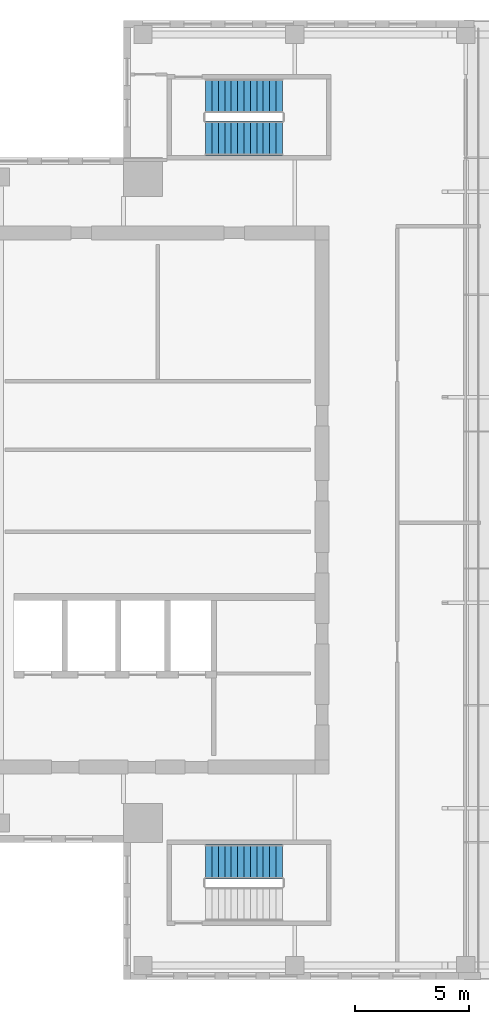
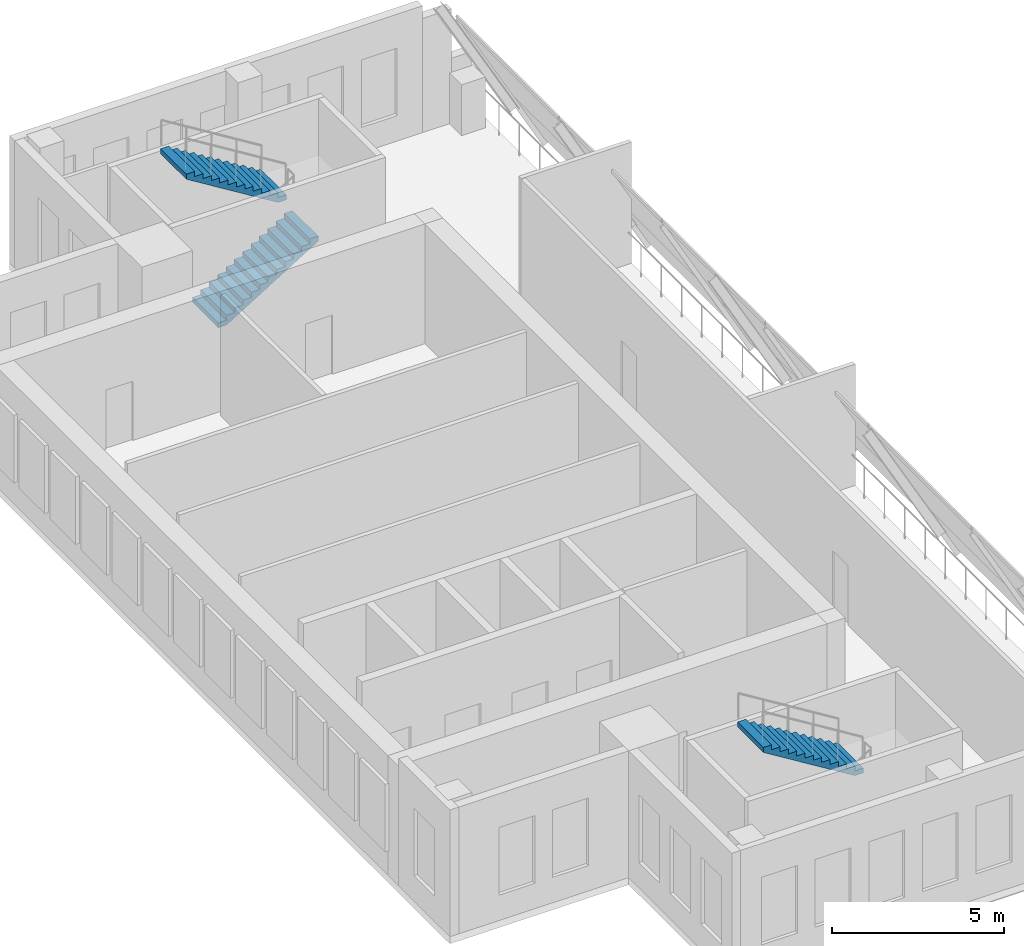
# One storey, part 4 of 5: 3 stair flights, 2 elements without a shape of their own.
"""IFC4 building model written with IfcOpenShell, lengths in metres."""

import ifcopenshell
import ifcopenshell.guid

model = None  # the IFC model being written
_history = None  # IfcOwnerHistory: only IFC2X3 demands one
_inside = {}  # id of a spatial element -> (the spatial element, [elements in it])
_under = {}  # id of a project, library or spatial element -> (it, [spatial elements below it])
_declared = {}  # id of a project -> (the project, [libraries it declares])
_typed = {}  # id of a type object -> (the type object, [elements of that type])
_made_of = {}  # id of a material, layer set ... -> (it, [elements and type objects made of it])


def new_model(schema):
    """Start an empty IFC model of exactly this schema.

    Asked for "IFC4X3", IfcOpenShell would pick the latest addendum, in which some entities
    have other attributes; the version numbers below select the first issue.
    IFC2X3 requires an IfcOwnerHistory on every rooted entity: one is made here for all.
    """
    global model, _history
    if schema == "IFC4X3":
        model = ifcopenshell.file(schema_version=(4, 3, 0, 0))
    else:
        model = ifcopenshell.file(schema=schema)
    _inside.clear()
    _under.clear()
    _declared.clear()
    _typed.clear()
    _made_of.clear()
    _history = None
    if model.schema == "IFC2X3":
        org = make("IfcOrganization", Name="unknown")
        user = make(
            "IfcPersonAndOrganization",
            ThePerson=make("IfcPerson", FamilyName="unknown"),
            TheOrganization=org,
        )
        app = make(
            "IfcApplication",
            ApplicationDeveloper=org,
            Version="unknown",
            ApplicationFullName="unknown",
            ApplicationIdentifier="unknown",
        )
        _history = make(
            "IfcOwnerHistory",
            OwningUser=user,
            OwningApplication=app,
            ChangeAction="ADDED",
            CreationDate=0,
        )
    return model


def make(cls, **values):
    """One entity of the class cls with the attributes given. An attribute that is None is left unset."""
    return model.create_entity(
        cls, **{name: value for name, value in values.items() if value is not None}
    )


def rooted(cls, **values):
    """An entity with a GlobalId (a new one), such as an element, a storey or a relation."""
    return make(cls, GlobalId=ifcopenshell.guid.new(), OwnerHistory=_history, **values)


def si_unit(unit_type, name, prefix=None):
    """IfcSIUnit, for example si_unit("LENGTHUNIT", "METRE", prefix="MILLI")."""
    return make("IfcSIUnit", UnitType=unit_type, Prefix=prefix, Name=name)


def assignment(units):
    """IfcUnitAssignment: the units of a project."""
    return None if units is None else make("IfcUnitAssignment", Units=units)


def point(xyz):
    """IfcCartesianPoint."""
    return None if xyz is None else make("IfcCartesianPoint", Coordinates=xyz)


def direction(xyz):
    """IfcDirection."""
    return None if xyz is None else make("IfcDirection", DirectionRatios=xyz)


def frame(location, z_axis=None, x_axis=None):
    """IfcAxis2Placement3D, a coordinate frame: its origin and axes. An axis left out is left unset."""
    return make(
        "IfcAxis2Placement3D",
        Location=point(location),
        Axis=direction(z_axis),
        RefDirection=direction(x_axis),
    )


def origin():
    """The frame at (0, 0, 0) with its axes left unset."""
    return frame((0.0, 0.0, 0.0))


def place(relative_to, where):
    """IfcLocalPlacement: puts the frame where relative to a parent placement (None: the world)."""
    return make(
        "IfcLocalPlacement", PlacementRelTo=relative_to, RelativePlacement=where
    )


def context(
    kind, dimensions, precision=None, world=None, true_north=None, identifier=None
):
    """IfcGeometricRepresentationContext, for example the 3D "Model" context."""
    return make(
        "IfcGeometricRepresentationContext",
        ContextIdentifier=identifier,
        ContextType=kind,
        CoordinateSpaceDimension=dimensions,
        Precision=precision,
        WorldCoordinateSystem=world,
        TrueNorth=true_north,
    )


def subcontext(parent, identifier, kind, view, scale=None):
    """IfcGeometricRepresentationSubContext, for example "Body" below "Model"."""
    return make(
        "IfcGeometricRepresentationSubContext",
        ContextIdentifier=identifier,
        ContextType=kind,
        ParentContext=parent,
        TargetScale=scale,
        TargetView=view,
    )


def project(units=None, contexts=None):
    """IfcProject with its units and contexts."""
    return rooted(
        "IfcProject",
        Name="project",
        RepresentationContexts=contexts,
        UnitsInContext=assignment(units),
    )


def spatial(cls, under=None, at=None, **own):
    """A site, building, storey or space (cls), placed at a placement, below another one or the project."""
    s = rooted(cls, ObjectPlacement=at, **own)
    if under is not None:
        _under.setdefault(under.id(), (under, []))[1].append(s)
    return s


def polyline(points):
    """IfcPolyline through the points."""
    return make("IfcPolyline", Points=[point(p) for p in points])


def outline(outer, holes=None, kind="AREA"):
    """IfcArbitraryClosedProfileDef: a profile drawn as a closed curve; with holes, ...WithVoids."""
    if holes is None:
        return make("IfcArbitraryClosedProfileDef", ProfileType=kind, OuterCurve=outer)
    return make(
        "IfcArbitraryProfileDefWithVoids",
        ProfileType=kind,
        OuterCurve=outer,
        InnerCurves=holes,
    )


def extrude(swept, where, along, depth):
    """IfcExtrudedAreaSolid: the profile swept, set in the frame where, extruded along a direction by depth."""
    return make(
        "IfcExtrudedAreaSolid",
        SweptArea=swept,
        Position=where,
        ExtrudedDirection=direction(along),
        Depth=depth,
    )


def shape(context_of_items, identifier, shape_type, items):
    """IfcShapeRepresentation: the items that make up one representation, for example the "Body"."""
    return make(
        "IfcShapeRepresentation",
        ContextOfItems=context_of_items,
        RepresentationIdentifier=identifier,
        RepresentationType=shape_type,
        Items=items,
    )


def source(mapping_origin, context_of_items, identifier, shape_type, items):
    """IfcRepresentationMap: a shape defined once, which mapped items show again and again."""
    return make(
        "IfcRepresentationMap",
        MappingOrigin=mapping_origin,
        MappedRepresentation=shape(context_of_items, identifier, shape_type, items),
    )


def transform(
    local_origin,
    x_axis=None,
    y_axis=None,
    z_axis=None,
    scale=None,
    scale2=None,
    scale3=None,
    uniform=True,
):
    """IfcCartesianTransformationOperator3D, or its non-uniform kind. x_axis, y_axis, z_axis: its Axis1, 2, 3."""
    if uniform:
        return make(
            "IfcCartesianTransformationOperator3D",
            Axis1=direction(x_axis),
            Axis2=direction(y_axis),
            LocalOrigin=point(local_origin),
            Scale=scale,
            Axis3=direction(z_axis),
        )
    return make(
        "IfcCartesianTransformationOperator3DnonUniform",
        Axis1=direction(x_axis),
        Axis2=direction(y_axis),
        LocalOrigin=point(local_origin),
        Scale=scale,
        Axis3=direction(z_axis),
        Scale2=scale2,
        Scale3=scale3,
    )


def mapped(mapping_source, mapping_target):
    """IfcMappedItem: shows the shape of a source again, moved by a transform."""
    return make(
        "IfcMappedItem", MappingSource=mapping_source, MappingTarget=mapping_target
    )


def material(Name=None, Category=None):
    """IfcMaterial."""
    return make("IfcMaterial", Name=Name, Category=Category)


def made_of(thing, what):
    """Note that an element or type object is made of a material, layer set ...; save() writes the relation."""
    if what is not None:
        _made_of.setdefault(what.id(), (what, []))[1].append(thing)
    return thing


def type_object(cls, material=None, **own):
    """A type object (cls), such as IfcWallType, which elements share."""
    return made_of(rooted(cls, **own), material)


def element(
    cls,
    number,
    at=None,
    inside=None,
    cuts=None,
    type_object=None,
    material=None,
    context=None,
    identifier="Body",
    shape_type=None,
    held_by="IfcProductDefinitionShape",
    body=None,
    shapes=None,
    **own,
):
    """One element of the class cls, such as IfcWall. Its Tag is "e" and its number.

    at: its placement. inside: the storey or other place that contains it. cuts: it is an
    opening in that element (IfcRelVoidsElement). A single representation is given by context,
    identifier, shape_type and body (its items); several are given by shapes. held_by: the class
    of the entity that holds the representations. save() writes the other relations.
    """
    e = rooted(cls, Tag="e%d" % number, ObjectPlacement=at, **own)
    if body is not None:
        shapes = [shape(context, identifier, shape_type, body)]
    if shapes is not None:
        e.Representation = make(held_by, Representations=shapes)
    if inside is not None:
        _inside.setdefault(inside.id(), (inside, []))[1].append(e)
    if cuts is not None:
        rooted(
            "IfcRelVoidsElement", RelatingBuildingElement=cuts, RelatedOpeningElement=e
        )
    if type_object is not None:
        _typed.setdefault(type_object.id(), (type_object, []))[1].append(e)
    return made_of(e, material)


def aggregate(whole, parts):
    """IfcRelAggregates: a whole, such as a stair, and the parts it consists of."""
    return rooted("IfcRelAggregates", RelatingObject=whole, RelatedObjects=parts)


def save(model, path):
    """Write the relations noted so far, then the file.

    IfcRelAggregates (storeys below a building ...), IfcRelContainedInSpatialStructure (elements
    in a storey), IfcRelDefinesByType, IfcRelAssociatesMaterial and IfcRelDeclares: one each for
    every whole, place, type object, material and project.
    """
    for whole, parts in _under.values():
        aggregate(whole, parts)
    for where, things in _inside.values():
        rooted(
            "IfcRelContainedInSpatialStructure",
            RelatedElements=things,
            RelatingStructure=where,
        )
    for kind, things in _typed.values():
        rooted("IfcRelDefinesByType", RelatedObjects=things, RelatingType=kind)
    for what, things in _made_of.values():
        rooted("IfcRelAssociatesMaterial", RelatedObjects=things, RelatingMaterial=what)
    for by, libraries in _declared.values():
        rooted("IfcRelDeclares", RelatingContext=by, RelatedDefinitions=libraries)
    model.write(path)


model = new_model("IFC4")

# Units and contexts
model_context = context("Model", 3, precision=1e-05, world=origin(), true_north=direction((0.0, 1.0)))
body_context = subcontext(model_context, "Body", "Model", "MODEL_VIEW")
ifc_project = project(units=[si_unit("LENGTHUNIT", "METRE"), si_unit("AREAUNIT", "SQUARE_METRE"), si_unit("VOLUMEUNIT", "CUBIC_METRE"), si_unit("PLANEANGLEUNIT", "RADIAN"), si_unit("MASSUNIT", "GRAM", prefix="KILO")], contexts=[model_context])

# Site, building, storey
site_placement = place(None, origin())
site = spatial("IfcSite", under=ifc_project, at=site_placement, CompositionType="ELEMENT")
building_placement = place(site_placement, origin())
building = spatial("IfcBuilding", under=site, at=building_placement, Name="Khomas Fold Tower", CompositionType="ELEMENT")
storey_placement = place(building_placement, frame((0.0, 0.0, 348.199951171875)))
storey = spatial("IfcBuildingStorey", under=building, at=storey_placement, Name="C5", CompositionType="ELEMENT", Elevation=348.199951171875)

# Stair, stair flights
ifc_material_1 = material(Name="Concrete C40/50", Category="concrete")
stair_type_1 = type_object("IfcStairType", Name="Stair ST1", PredefinedType="HALF_TURN_STAIR", material=ifc_material_1)
stair_1_placement = place(storey_placement, origin())
stair_1 = element("IfcStair", 1, at=stair_1_placement, inside=storey, type_object=stair_type_1, Name="C5 ST1", PredefinedType="HALF_TURN_STAIR")
ifc_material_2 = material(Name="Concrete C40/50", Category="concrete")
stair_flight_type_1 = type_object("IfcStairFlightType", Name="Stair flight 1500 ST1", PredefinedType="STRAIGHT", material=ifc_material_2)
shared_shape = source(origin(), body_context, "Body", "SweptSolid", [
    extrude(outline(polyline([(0.0, 0.0), (0.0, 0.013427734375), (0.0, 0.026611328125), (0.0, 0.0400390625), (0.0, 0.05322265625), (0.0, 0.066650390625), (0.0, 0.079833984375), (0.0, 0.09326171875), (0.0, 0.1064453125), (0.0, 0.119873046875), (0.0, 0.133056640625), (0.0, 0.146484375), (0.0, 0.15966796875), (0.0, 0.173095703125), (0.280029296875, 0.173095703125), (0.280029296875, 0.34619140625), (0.56005859375, 0.34619140625), (0.56005859375, 0.519287109375), (0.840087890625, 0.519287109375), (0.840087890625, 0.6923828125), (1.1201171875, 0.6923828125), (1.1201171875, 0.865478515625), (1.39990234375, 0.865478515625), (1.39990234375, 1.03857421875), (1.679931640625, 1.03857421875), (1.679931640625, 1.21142578125), (1.9599609375, 1.21142578125), (1.9599609375, 1.384521484375), (2.239990234375, 1.384521484375), (2.239990234375, 1.5576171875), (2.52001953125, 1.5576171875), (2.52001953125, 1.730712890625), (2.800048828125, 1.730712890625), (2.800048828125, 1.90380859375), (3.080078125, 1.90380859375), (3.080078125, 2.076904296875), (3.360107421875, 2.076904296875), (3.360107421875, 2.25), (3.360107421875, 2.22314453125), (3.360107421875, 2.1962890625), (3.360107421875, 2.16943359375), (3.360107421875, 2.142578125), (3.360107421875, 2.11572265625), (3.360107421875, 2.0888671875), (3.360107421875, 2.06201171875), (3.360107421875, 2.03515625), (3.360107421875, 2.008056640625), (3.360107421875, 1.981201171875), (3.360107421875, 1.954345703125), (3.360107421875, 1.927490234375), (3.360107421875, 1.900634765625), (0.28515625, 0.0), (0.0, 0.0)])), frame((0.0, 0.75, 0.0), z_axis=(0.0, -1.0, 0.0), x_axis=(1.0, 0.0, 0.0)), (0.0, 0.0, 1.0), 1.5),
])
stair_flight_1_placement = place(storey_placement, frame((15.60009765625, 42.85009765625, 0.0), z_axis=(0.0, 0.0, 1.0), x_axis=(1.0, 0.0, 0.0)))
stair_flight_1 = element("IfcStairFlight", 2, at=stair_flight_1_placement, type_object=stair_flight_type_1, Name="ST1 flight 1", NumberOfRisers=13, NumberOfTreads=12, PredefinedType="STRAIGHT", RiserHeight=0.173076923, TreadLength=0.28, context=body_context, shape_type="MappedRepresentation", body=[
    mapped(shared_shape, transform((0.0, 0.0, 0.0))),
])
stair_flight_2_placement = place(storey_placement, frame((18.9599609375, 44.699951171875, 2.25), z_axis=(0.0, 0.0, 1.0), x_axis=(-1.0, 0.0, 0.0)))
stair_flight_2 = element("IfcStairFlight", 3, at=stair_flight_2_placement, type_object=stair_flight_type_1, Name="ST1 flight 2", NumberOfRisers=13, NumberOfTreads=12, PredefinedType="STRAIGHT", RiserHeight=0.173076923, TreadLength=0.28, context=body_context, shape_type="MappedRepresentation", body=[
    mapped(shared_shape, transform((0.0, 0.0, 0.0))),
])
aggregate(stair_1, [stair_flight_1, stair_flight_2])

# Stair, stair flight
ifc_material_3 = material(Name="Concrete C40/50", Category="concrete")
stair_type_2 = type_object("IfcStairType", Name="Stair ST2", PredefinedType="HALF_TURN_STAIR", material=ifc_material_3)
stair_2_placement = place(storey_placement, origin())
stair_2 = element("IfcStair", 4, at=stair_2_placement, inside=storey, type_object=stair_type_2, Name="C5 ST2", PredefinedType="HALF_TURN_STAIR")
ifc_material_4 = material(Name="Concrete C40/50", Category="concrete")
stair_flight_type_2 = type_object("IfcStairFlightType", Name="Stair flight 1500 ST2", PredefinedType="STRAIGHT", material=ifc_material_4)
stair_flight_3_placement = place(storey_placement, frame((18.9599609375, 11.14990234375, 2.25), z_axis=(0.0, 0.0, 1.0), x_axis=(-1.0, 0.0, 0.0)))
stair_flight_3 = element("IfcStairFlight", 5, at=stair_flight_3_placement, type_object=stair_flight_type_2, Name="ST2 flight 2", NumberOfRisers=13, NumberOfTreads=12, PredefinedType="STRAIGHT", RiserHeight=0.173076923, TreadLength=0.28, context=body_context, shape_type="MappedRepresentation", body=[
    mapped(shared_shape, transform((0.0, 0.0, 0.0))),
])
aggregate(stair_2, [stair_flight_3])

save(model, "model.ifc")
